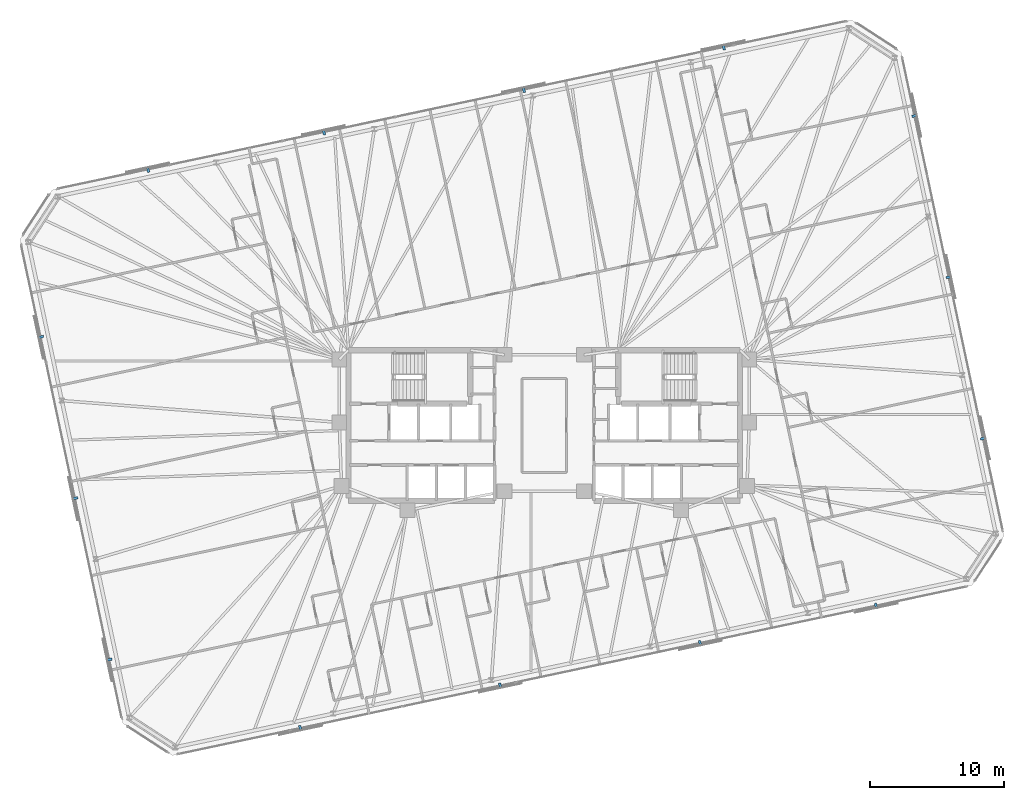
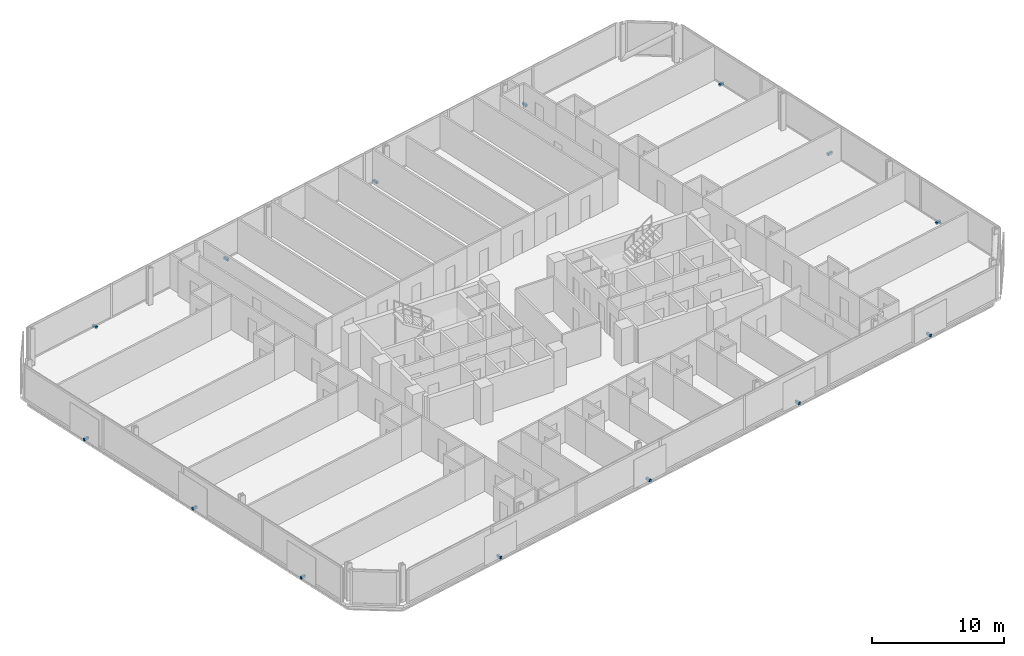
# One storey, part 20 of 21: 14 discrete accessories.
"""IFC4 building model written with IfcOpenShell, lengths in metres."""

from ifc_helpers import new_model, si_unit, direction, frame, origin, origin_2d, place, context, subcontext, project, spatial, rectangle, extrude, material, type_object, element, save


model = new_model("IFC4")

# Units and contexts
model_context = context("Model", 3, precision=1e-05, world=origin(), true_north=direction((0.0, 1.0)))
body_context = subcontext(model_context, "Body", "Model", "MODEL_VIEW")
ifc_project = project(units=[si_unit("LENGTHUNIT", "METRE"), si_unit("AREAUNIT", "SQUARE_METRE"), si_unit("VOLUMEUNIT", "CUBIC_METRE"), si_unit("PLANEANGLEUNIT", "RADIAN"), si_unit("MASSUNIT", "GRAM", prefix="KILO")], contexts=[model_context])

# Site, building, storey
site_placement = place(None, origin())
site = spatial("IfcSite", under=ifc_project, at=site_placement, CompositionType="ELEMENT")
building_placement = place(site_placement, origin())
building = spatial("IfcBuilding", under=site, at=building_placement, Name="Menara Jurai Vektor", CompositionType="ELEMENT")
storey_placement = place(building_placement, frame((0.0, 0.0, 188.800048828125)))
storey = spatial("IfcBuildingStorey", under=building, at=storey_placement, Name="L49", CompositionType="ELEMENT", Elevation=188.800048828125)

# Discrete accessories
ifc_material = material(Name="Steel S355", Category="steel")
discrete_accessory_type = type_object("IfcDiscreteAccessoryType", Name="ENV-ACC-BRACKET", PredefinedType="BRACKET", material=ifc_material)
for number, where, z_axis, x_axis, name in (
    (1, (-18.148193359375, -22.537841796875, -0.1298828125), (0.0, 0.0, 1.0), (0.978147600734, 0.207911690818, 0.0), "Solar Screen Stand-Off Bracket L49-S01"),
    (2, (-3.2802734375, -19.377685546875, -0.1298828125), (0.0, 0.0, 1.0), (0.978147600734, 0.207911690818, 0.0), "Solar Screen Stand-Off Bracket L49-S02"),
    (3, (11.587646484375, -16.21728515625, -0.1298828125), (0.0, 0.0, 1.0), (0.978147600734, 0.207911690818, 0.0), "Solar Screen Stand-Off Bracket L49-S03"),
    (4, (24.67138671875, -13.436279296875, -0.1298828125), (0.0, 0.0, 1.0), (0.978147600734, 0.207911690818, 0.0), "Solar Screen Stand-Off Bracket L49-S04"),
    (5, (32.660400390625, -0.9716796875, -0.1298828125), (0.0, 0.0, 1.0), (-0.207911690818, 0.978147600734, 0.0), "Solar Screen Stand-Off Bracket L49-S05"),
    (6, (30.10986328125, 11.027099609375, -0.1298828125), (0.0, 0.0, 1.0), (-0.207911690818, 0.978147600734, 0.0), "Solar Screen Stand-Off Bracket L49-S06"),
    (7, (27.5595703125, 23.025634765625, -0.1298828125), (0.0, 0.0, 1.0), (-0.207911690818, 0.978147600734, 0.0), "Solar Screen Stand-Off Bracket L49-S07"),
    (8, (13.34814453125, 28.137939453125, -0.1298828125), (0.0, 0.0, 1.0), (-0.978147600734, -0.207911690818, 0.0), "Solar Screen Stand-Off Bracket L49-S08"),
    (9, (-1.519775390625, 24.977783203125, -0.1298828125), (0.0, 0.0, 1.0), (-0.978147600734, -0.207911690818, 0.0), "Solar Screen Stand-Off Bracket L49-S09"),
    (10, (-16.3876953125, 21.8173828125, -0.1298828125), (0.0, 0.0, 1.0), (-0.978147600734, -0.207911690818, 0.0), "Solar Screen Stand-Off Bracket L49-S10"),
    (11, (-29.47119140625, 19.036376953125, -0.1298828125), (0.0, 0.0, 1.0), (-0.978147600734, -0.207911690818, 0.0), "Solar Screen Stand-Off Bracket L49-S11"),
    (12, (-37.460205078125, 6.571533203125, -0.1298828125), (0.0, 0.0, 1.0), (0.207911690818, -0.978147600734, 0.0), "Solar Screen Stand-Off Bracket L49-S12"),
    (13, (-34.909912109375, -5.427001953125, -0.1298828125), (0.0, 0.0, 1.0), (0.207911690818, -0.978147600734, 0.0), "Solar Screen Stand-Off Bracket L49-S13"),
    (14, (-32.359619140625, -17.425537109375, -0.1298828125), (0.0, 0.0, 1.0), (0.207911690818, -0.978147600734, 0.0), "Solar Screen Stand-Off Bracket L49-S14"),
):
    element("IfcDiscreteAccessory", number, at=place(storey_placement, frame(where, z_axis=z_axis, x_axis=x_axis)), inside=storey, type_object=discrete_accessory_type, Name=name, PredefinedType="BRACKET", context=body_context, shape_type="SweptSolid", body=[
        extrude(rectangle(XDim=0.179931640625, YDim=0.43994140625, at=origin_2d()), origin(), (0.0, 0.0, 1.0), 0.219970703125),
    ])

save(model, "model.ifc")
